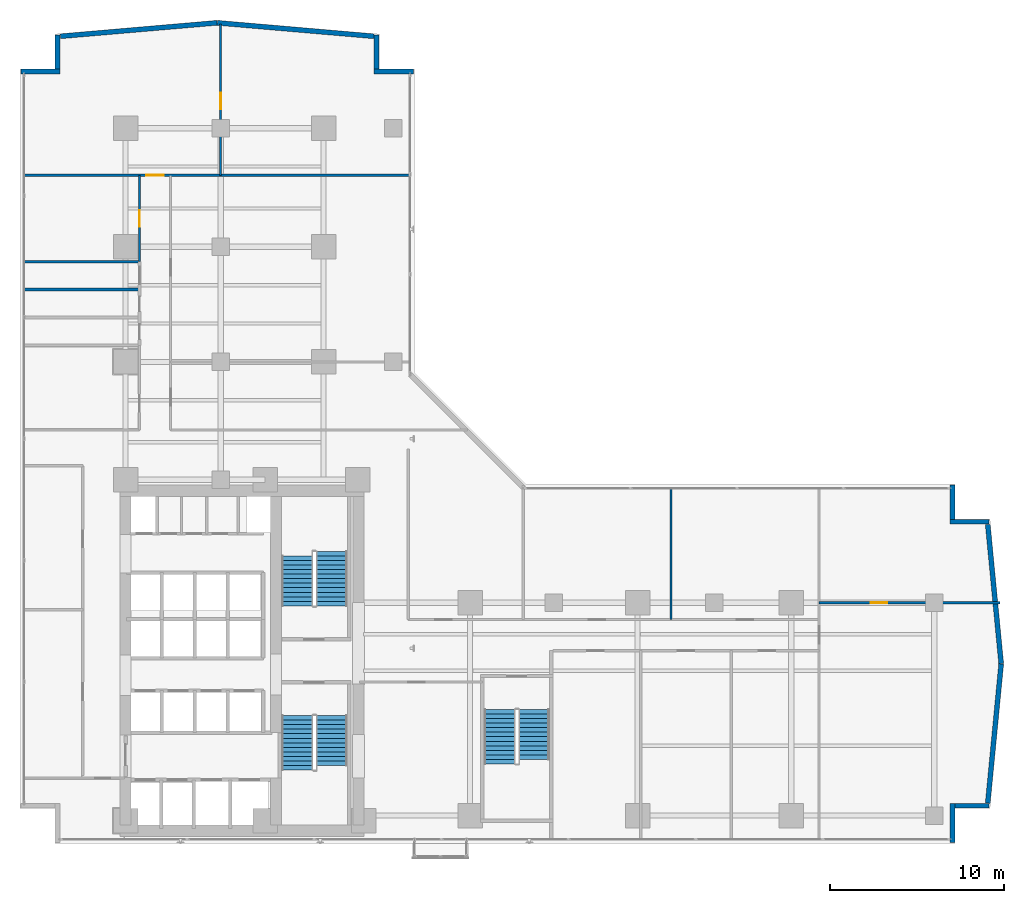
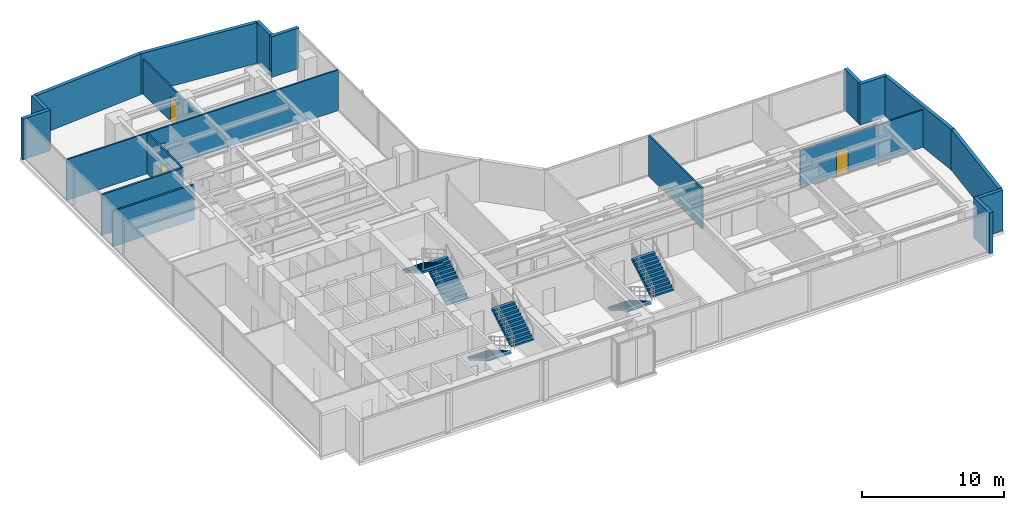
# One storey, part 21 of 25: 19 walls, 6 stair flights, 4 doors, 4 openings, 3 elements without a shape of their own.
"""IFC4 building model written with IfcOpenShell, lengths in metres."""

from ifc_helpers import new_model, si_unit, direction, frame, frame_2d, origin, place, context, subcontext, project, spatial, polyline, rectangle, outline, extrude, material, layer, layer_set, type_object, element, fill, aggregate, save


model = new_model("IFC4")

# Units and contexts
model_context = context("Model", 3, precision=1e-05, world=origin(), true_north=direction((0.0, 1.0)))
body_context = subcontext(model_context, "Body", "Model", "MODEL_VIEW")
ifc_project = project(units=[si_unit("LENGTHUNIT", "METRE"), si_unit("AREAUNIT", "SQUARE_METRE"), si_unit("VOLUMEUNIT", "CUBIC_METRE"), si_unit("PLANEANGLEUNIT", "RADIAN"), si_unit("MASSUNIT", "GRAM", prefix="KILO")], contexts=[model_context])

# Site, building, storey
site_placement = place(None, origin())
site = spatial("IfcSite", under=ifc_project, at=site_placement, CompositionType="ELEMENT")
building_placement = place(site_placement, origin())
building = spatial("IfcBuilding", under=site, at=building_placement, Name="Kolvaren Waterfront Exchange", CompositionType="ELEMENT")
storey_placement = place(building_placement, frame((0.0, 0.0, 106.89990234375)))
storey = spatial("IfcBuildingStorey", under=building, at=storey_placement, Name="L27", CompositionType="ELEMENT", Elevation=106.89990234375)

# Walls
ifc_material_1 = material(Name="Precast concrete C40/50", Category="concrete")
ifc_layer_1 = layer(ifc_material_1, 0.280029296875, Name="Precast concrete C40/50")
ifc_layer_set_1 = layer_set([ifc_layer_1], Name="Precast concrete C40/50")
wall_type_1 = type_object("IfcWallType", Name="ARC-EXT-TERR-280", PredefinedType="SOLIDWALL", material=ifc_layer_set_1)
wall_1_placement = place(storey_placement, frame((54.840087890625, 3.659912109375, 0.0), z_axis=(0.0, 0.0, 1.0), x_axis=(0.0, 1.0, 0.0)))
element("IfcWall", 1, at=wall_1_placement, inside=storey, type_object=wall_type_1, Name="L27 notched corner spandrel pier SE-A", PredefinedType="SOLIDWALL", context=body_context, shape_type="SweptSolid", body=[
    extrude(rectangle(XDim=2.239990234375, YDim=0.280029296875, at=frame_2d((1.1201171875, 0.0))), origin(), (0.0, 0.0, 1.0), 3.5),
])
wall_2_placement = place(storey_placement, frame((54.97998046875, 5.760009765625, 0.0), z_axis=(0.0, 0.0, 1.0), x_axis=(1.0, 0.0, 0.0)))
element("IfcWall", 2, at=wall_2_placement, inside=storey, type_object=wall_type_1, Name="L27 notched corner spandrel pier SE-B", PredefinedType="SOLIDWALL", context=body_context, shape_type="SweptSolid", body=[
    extrude(rectangle(XDim=1.9599609375, YDim=0.280029296875, at=frame_2d((0.97998046875, 0.0))), origin(), (0.0, 0.0, 1.0), 3.5),
])
wall_3_placement = place(storey_placement, frame((54.840087890625, 22.1650390625, 0.0), z_axis=(0.0, 0.0, 1.0), x_axis=(0.0, 1.0, 0.0)))
element("IfcWall", 3, at=wall_3_placement, inside=storey, type_object=wall_type_1, Name="L27 notched corner spandrel pier ENE-A", PredefinedType="SOLIDWALL", context=body_context, shape_type="SweptSolid", body=[
    extrude(rectangle(XDim=1.974853515625, YDim=0.280029296875, at=frame_2d((0.9873046875, 0.0))), origin(), (0.0, 0.0, 1.0), 3.5),
])
for number, where, z_axis, x_axis, name in (
    (4, (54.699951171875, 22.0400390625, 0.0), (0.0, 0.0, 1.0), (1.0, 0.0, 0.0), "L27 notched corner spandrel pier ENE-B"),
    (5, (21.699951171875, 47.840087890625, 0.0), (0.0, 0.0, 1.0), (1.0, 0.0, 0.0), "L27 notched corner spandrel pier NNE-A"),
):
    element("IfcWall", number, at=place(storey_placement, frame(where, z_axis=z_axis, x_axis=x_axis)), inside=storey, type_object=wall_type_1, Name=name, PredefinedType="SOLIDWALL", context=body_context, shape_type="SweptSolid", body=[
        extrude(rectangle(XDim=2.239990234375, YDim=0.280029296875, at=frame_2d((1.1201171875, 0.0))), origin(), (0.0, 0.0, 1.0), 3.5),
    ])
wall_4_placement = place(storey_placement, frame((21.840087890625, 47.97998046875, 0.0), z_axis=(0.0, 0.0, 1.0), x_axis=(0.0, 1.0, 0.0)))
element("IfcWall", 6, at=wall_4_placement, inside=storey, type_object=wall_type_1, Name="L27 notched corner spandrel pier NNE-B", PredefinedType="SOLIDWALL", context=body_context, shape_type="SweptSolid", body=[
    extrude(rectangle(XDim=1.9599609375, YDim=0.280029296875, at=frame_2d((0.97998046875, 0.0))), origin(), (0.0, 0.0, 1.0), 3.5),
])
wall_5_placement = place(storey_placement, frame((1.4599609375, 47.840087890625, 0.0), z_axis=(0.0, 0.0, 1.0), x_axis=(1.0, 0.0, 0.0)))
element("IfcWall", 7, at=wall_5_placement, inside=storey, type_object=wall_type_1, Name="L27 notched corner spandrel pier NW-A", PredefinedType="SOLIDWALL", context=body_context, shape_type="SweptSolid", body=[
    extrude(rectangle(XDim=2.239990234375, YDim=0.280029296875, at=frame_2d((1.1201171875, 0.0))), origin(), (0.0, 0.0, 1.0), 3.5),
])
wall_6_placement = place(storey_placement, frame((3.56005859375, 47.97998046875, 0.0), z_axis=(0.0, 0.0, 1.0), x_axis=(0.0, 1.0, 0.0)))
element("IfcWall", 8, at=wall_6_placement, inside=storey, type_object=wall_type_1, Name="L27 notched corner spandrel pier NW-B", PredefinedType="SOLIDWALL", context=body_context, shape_type="SweptSolid", body=[
    extrude(rectangle(XDim=1.9599609375, YDim=0.280029296875, at=frame_2d((0.97998046875, 0.0))), origin(), (0.0, 0.0, 1.0), 3.5),
])
for number, where, z_axis, x_axis, name in (
    (9, (56.869384765625, 5.9140625, 0.0), (0.0, 0.0, 1.0), (0.095969995245, 0.995384227328, 0.0), "L27 east prow faceted facade wall 1"),
    (10, (57.638916015625, 13.904541015625, 0.0), (0.0, 0.0, 1.0), (-0.095969995245, 0.995384227328, 0.0), "L27 east prow faceted facade wall 2"),
):
    element("IfcWall", number, at=place(storey_placement, frame(where, z_axis=z_axis, x_axis=x_axis)), inside=storey, type_object=wall_type_1, Name=name, PredefinedType="SOLIDWALL", context=body_context, shape_type="SweptSolid", body=[
        extrude(rectangle(XDim=8.0185546875, YDim=0.280029296875, at=frame_2d((4.00927734375, 0.0))), origin(), (0.0, 0.0, 1.0), 3.5),
    ])
for number, where, z_axis, x_axis, name in (
    (11, (21.6875, 49.8662109375, 0.0), (0.0, 0.0, 1.0), (-0.996319339243, 0.085719159179, 0.0), "L27 north prow faceted facade wall 1"),
    (12, (12.69384765625, 50.638916015625, 0.0), (0.0, 0.0, 1.0), (-0.996319339243, -0.085719159179, 0.0), "L27 north prow faceted facade wall 2"),
):
    element("IfcWall", number, at=place(storey_placement, frame(where, z_axis=z_axis, x_axis=x_axis)), inside=storey, type_object=wall_type_1, Name=name, PredefinedType="SOLIDWALL", context=body_context, shape_type="SweptSolid", body=[
        extrude(rectangle(XDim=9.014404296875, YDim=0.280029296875, at=frame_2d((4.50732421875, 0.0))), origin(), (0.0, 0.0, 1.0), 3.5),
    ])

# Wall, opening, door
ifc_material_2 = material(Name="Acoustic gypsum steel stud", Category="steel")
ifc_layer_2 = layer(ifc_material_2, 0.125, Name="Acoustic gypsum steel stud")
ifc_layer_set_2 = layer_set([ifc_layer_2], Name="Acoustic gypsum steel stud")
wall_type_2 = type_object("IfcWallType", Name="ARC-PART-125", PredefinedType="PARTITIONING", material=ifc_layer_set_2)
wall_7_placement = place(storey_placement, frame((47.199951171875, 17.39990234375, 0.0), z_axis=(0.0, 0.0, 1.0), x_axis=(1.0, 0.0, 0.0)))
wall_7 = element("IfcWall", 13, at=wall_7_placement, inside=storey, type_object=wall_type_2, Name="L27 interior wall PW-L27-ETIP-MID", PredefinedType="PARTITIONING", context=body_context, shape_type="SweptSolid", body=[
    extrude(rectangle(XDim=10.360107421875, YDim=0.125, at=frame_2d((5.18017578125, 0.0))), origin(), (0.0, 0.0, 1.0), 3.2001953125),
])
opening_1_placement = place(wall_7_placement, frame((2.949951171875, 0.0, 0.0)))
opening_1 = element("IfcOpeningElement", 14, at=opening_1_placement, cuts=wall_7, Name="Opening D02", PredefinedType="OPENING", context=body_context, shape_type="SweptSolid", body=[
    extrude(rectangle(XDim=0.949951171875, YDim=2.14990234375, at=frame_2d((0.47509765625, 1.074951171875))), frame((0.0, 0.072509765625, 0.0), z_axis=(0.0, -1.0, 0.0), x_axis=(1.0, 0.0, 0.0)), (0.0, 0.0, 1.0), 0.14501953125),
])
ifc_material_3 = material(Name="Oak veneer acoustic timber", Category="wood")
door_type_1 = type_object("IfcDoorType", Name="ARC-DR-950", OperationType="NOTDEFINED", PredefinedType="DOOR", material=ifc_material_3)
door_1_placement = place(opening_1_placement, origin())
door_1 = element("IfcDoor", 15, at=door_1_placement, inside=storey, type_object=door_type_1, Name="L27 door DR-L27-ETIP2-D (D02)", OperationType="SINGLE_SWING_LEFT", OverallHeight=2.14990234375, OverallWidth=0.949951171875, PredefinedType="DOOR", context=body_context, shape_type="SweptSolid", body=[
    extrude(rectangle(XDim=0.949951171875, YDim=2.14990234375, at=frame_2d((0.47509765625, 1.074951171875))), frame((0.0, 0.02490234375, 0.0), z_axis=(0.0, -1.0, 0.0), x_axis=(1.0, 0.0, 0.0)), (0.0, 0.0, 1.0), 0.050048828125),
])
fill(opening_1, door_1)

# Wall
wall_8_placement = place(storey_placement, frame((38.719970703125, 16.429931640625, 0.0), z_axis=(0.0, 0.0, 1.0), x_axis=(0.0, 1.0, 0.0)))
element("IfcWall", 16, at=wall_8_placement, inside=storey, type_object=wall_type_2, Name="L27 interior wall PW-L27-EN-DIV-2", PredefinedType="PARTITIONING", context=body_context, shape_type="SweptSolid", body=[
    extrude(rectangle(XDim=7.530029296875, YDim=0.125, at=frame_2d((3.76513671875, 0.0))), origin(), (0.0, 0.0, 1.0), 3.5),
])

# Wall, opening, door
wall_9_placement = place(storey_placement, frame((8.25, 36.949951171875, 0.0), z_axis=(0.0, 0.0, 1.0), x_axis=(0.0, 1.0, 0.0)))
wall_9 = element("IfcWall", 17, at=wall_9_placement, inside=storey, type_object=wall_type_2, Name="L27 interior wall PW-L27-NW-CORR", PredefinedType="PARTITIONING", context=body_context, shape_type="SweptSolid", body=[
    extrude(rectangle(XDim=4.949951171875, YDim=0.125, at=frame_2d((2.47509765625, 0.0))), origin(), (0.0, 0.0, 1.0), 3.5),
])
opening_2_placement = place(wall_9_placement, frame((2.0, 0.0, 0.0)))
opening_2 = element("IfcOpeningElement", 18, at=opening_2_placement, cuts=wall_9, Name="Opening D02", PredefinedType="OPENING", context=body_context, shape_type="SweptSolid", body=[
    extrude(rectangle(XDim=0.949951171875, YDim=2.14990234375, at=frame_2d((0.47509765625, 1.074951171875))), frame((0.0, 0.072509765625, 0.0), z_axis=(0.0, -1.0, 0.0), x_axis=(1.0, 0.0, 0.0)), (0.0, 0.0, 1.0), 0.14501953125),
])
door_2_placement = place(opening_2_placement, origin())
door_2 = element("IfcDoor", 19, at=door_2_placement, inside=storey, type_object=door_type_1, Name="L27 door DR-L27-NW-D-1 (D02)", OperationType="SINGLE_SWING_LEFT", OverallHeight=2.14990234375, OverallWidth=0.949951171875, PredefinedType="DOOR", context=body_context, shape_type="SweptSolid", body=[
    extrude(rectangle(XDim=0.949951171875, YDim=2.14990234375, at=frame_2d((0.47509765625, 1.074951171875))), frame((0.0, 0.02490234375, 0.0), z_axis=(0.0, -1.0, 0.0), x_axis=(1.0, 0.0, 0.0)), (0.0, 0.0, 1.0), 0.050048828125),
])
fill(opening_2, door_2)

wall_10_placement = place(storey_placement, frame((1.639892578125, 41.89990234375, 0.0), z_axis=(0.0, 0.0, 1.0), x_axis=(1.0, 0.0, 0.0)))
wall_10 = element("IfcWall", 20, at=wall_10_placement, inside=storey, type_object=wall_type_2, Name="L27 interior wall PW-L27-NTIP-S", PredefinedType="PARTITIONING", context=body_context, shape_type="SweptSolid", body=[
    extrude(rectangle(XDim=22.1201171875, YDim=0.125, at=frame_2d((11.06005859375, 0.0))), origin(), (0.0, 0.0, 1.0), 3.5),
])
opening_3_placement = place(wall_10_placement, frame((7.0, 0.0, 0.0)))
opening_3 = element("IfcOpeningElement", 21, at=opening_3_placement, cuts=wall_10, Name="Opening D03", PredefinedType="OPENING", context=body_context, shape_type="SweptSolid", body=[
    extrude(rectangle(XDim=1.0, YDim=2.199951171875, at=frame_2d((0.5, 1.10009765625))), frame((0.0, 0.072509765625, 0.0), z_axis=(0.0, -1.0, 0.0), x_axis=(1.0, 0.0, 0.0)), (0.0, 0.0, 1.0), 0.14501953125),
])
ifc_material_4 = material(Name="Oak veneer accessible timber", Category="wood")
door_type_2 = type_object("IfcDoorType", Name="ARC-DR-1000", OperationType="NOTDEFINED", PredefinedType="DOOR", material=ifc_material_4)
door_3_placement = place(opening_3_placement, origin())
door_3 = element("IfcDoor", 22, at=door_3_placement, inside=storey, type_object=door_type_2, Name="L27 door DR-L27-NTIPW-D (D03)", OperationType="SINGLE_SWING_RIGHT", OverallHeight=2.199951171875, OverallWidth=1.0, PredefinedType="DOOR", context=body_context, shape_type="SweptSolid", body=[
    extrude(rectangle(XDim=1.0, YDim=2.199951171875, at=frame_2d((0.5, 1.10009765625))), frame((0.0, 0.02490234375, 0.0), z_axis=(0.0, -1.0, 0.0), x_axis=(1.0, 0.0, 0.0)), (0.0, 0.0, 1.0), 0.050048828125),
])
fill(opening_3, door_3)

wall_11_placement = place(storey_placement, frame((12.89990234375, 41.89990234375, 0.0), z_axis=(0.0, 0.0, 1.0), x_axis=(0.0, 1.0, 0.0)))
wall_11 = element("IfcWall", 23, at=wall_11_placement, inside=storey, type_object=wall_type_2, Name="L27 interior wall PW-L27-NTIP-DIV", PredefinedType="PARTITIONING", context=body_context, shape_type="SweptSolid", body=[
    extrude(rectangle(XDim=8.66015625, YDim=0.125, at=frame_2d((4.330078125, 0.0))), origin(), (0.0, 0.0, 1.0), 3.0),
])
opening_4_placement = place(wall_11_placement, frame((3.77880859375, 0.0, 0.0)))
opening_4 = element("IfcOpeningElement", 24, at=opening_4_placement, cuts=wall_11, Name="Opening D02", PredefinedType="OPENING", context=body_context, shape_type="SweptSolid", body=[
    extrude(rectangle(XDim=0.949951171875, YDim=2.14990234375, at=frame_2d((0.47509765625, 1.074951171875))), frame((0.0, 0.072509765625, 0.0), z_axis=(0.0, -1.0, 0.0), x_axis=(1.0, 0.0, 0.0)), (0.0, 0.0, 1.0), 0.14501953125),
])
door_4_placement = place(opening_4_placement, origin())
door_4 = element("IfcDoor", 25, at=door_4_placement, inside=storey, type_object=door_type_1, Name="L27 door DR-L27-NTIPE-D (D02)", OperationType="SINGLE_SWING_LEFT", OverallHeight=2.14990234375, OverallWidth=0.949951171875, PredefinedType="DOOR", context=body_context, shape_type="SweptSolid", body=[
    extrude(rectangle(XDim=0.949951171875, YDim=2.14990234375, at=frame_2d((0.47509765625, 1.074951171875))), frame((0.0, 0.02490234375, 0.0), z_axis=(0.0, -1.0, 0.0), x_axis=(1.0, 0.0, 0.0)), (0.0, 0.0, 1.0), 0.050048828125),
])
fill(opening_4, door_4)

# Walls
ifc_material_5 = material(Name="Moisture-resistant gypsum stud")
ifc_layer_3 = layer(ifc_material_5, 0.14990234375, Name="Moisture-resistant gypsum stud")
ifc_layer_set_3 = layer_set([ifc_layer_3], Name="Moisture-resistant gypsum stud")
wall_type_3 = type_object("IfcWallType", Name="ARC-PLUMB-150", PredefinedType="PLUMBINGWALL", material=ifc_layer_set_3)
wall_12_placement = place(storey_placement, frame((1.639892578125, 35.35009765625, 0.0), z_axis=(0.0, 0.0, 1.0), x_axis=(1.0, 0.0, 0.0)))
element("IfcWall", 26, at=wall_12_placement, inside=storey, type_object=wall_type_3, Name="L27 interior wall PW-L27-WC-2", PredefinedType="PLUMBINGWALL", context=body_context, shape_type="SweptSolid", body=[
    extrude(rectangle(XDim=6.610107421875, YDim=0.14990234375, at=frame_2d((3.30517578125, 0.0))), origin(), (0.0, 0.0, 1.0), 3.050048828125),
])
wall_13_placement = place(storey_placement, frame((1.639892578125, 36.949951171875, 0.0), z_axis=(0.0, 0.0, 1.0), x_axis=(1.0, 0.0, 0.0)))
element("IfcWall", 27, at=wall_13_placement, inside=storey, type_object=wall_type_3, Name="L27 interior wall PW-L27-WC-3", PredefinedType="PLUMBINGWALL", context=body_context, shape_type="SweptSolid", body=[
    extrude(rectangle(XDim=6.610107421875, YDim=0.14990234375, at=frame_2d((3.30517578125, 0.0))), origin(), (0.0, 0.0, 1.0), 3.5),
])

# Stair, stair flights
ifc_material_6 = material(Name="Concrete C40/50", Category="concrete")
stair_type = type_object("IfcStairType", Name="ARC-STAIR-3800", PredefinedType="HALF_TURN_STAIR", material=ifc_material_6)
stair_1_placement = place(storey_placement, origin())
stair_1 = element("IfcStair", 28, at=stair_1_placement, inside=storey, type_object=stair_type, Name="L27 Smoke-proof exit stair ST1", PredefinedType="HALF_TURN_STAIR")
stair_flight_type = type_object("IfcStairFlightType", Name="ARC-FLIGHT-3800", PredefinedType="STRAIGHT", material=ifc_material_6)
stair_flight_1_placement = place(storey_placement, frame((17.300048828125, 10.929931640625, 0.0), z_axis=(0.0, 0.0, 1.0), x_axis=(0.0, -1.0, 0.0)))
stair_flight_1 = element("IfcStairFlight", 29, at=stair_flight_1_placement, type_object=stair_flight_type, Name="ST1 flight 1", NumberOfRisers=13, NumberOfTreads=12, PredefinedType="STRAIGHT", RiserHeight=0.152, TreadLength=0.26, context=body_context, shape_type="SweptSolid", body=[
    extrude(outline(polyline([(0.0, 0.0), (0.0, 0.152099609375), (0.260009765625, 0.152099609375), (0.260009765625, 0.303955078125), (0.52001953125, 0.303955078125), (0.52001953125, 0.4560546875), (0.780029296875, 0.4560546875), (0.780029296875, 0.60791015625), (1.0400390625, 0.60791015625), (1.0400390625, 0.760009765625), (1.300048828125, 0.760009765625), (1.300048828125, 0.912109375), (1.56005859375, 0.912109375), (1.56005859375, 1.06396484375), (1.820068359375, 1.06396484375), (1.820068359375, 1.216064453125), (2.080078125, 1.216064453125), (2.080078125, 1.367919921875), (2.340087890625, 1.367919921875), (2.340087890625, 1.52001953125), (2.60009765625, 1.52001953125), (2.60009765625, 1.672119140625), (2.860107421875, 1.672119140625), (2.860107421875, 1.823974609375), (3.1201171875, 1.823974609375), (3.1201171875, 1.97607421875), (3.1201171875, 1.650390625), (0.297119140625, 0.0), (0.0, 0.0)])), frame((0.0, 0.89990234375, 0.0), z_axis=(0.0, -1.0, 0.0), x_axis=(1.0, 0.0, 0.0)), (0.0, 0.0, 1.0), 1.800048828125),
])
stair_flight_2_placement = place(storey_placement, frame((19.260009765625, 8.070068359375, 1.97607421875), z_axis=(0.0, 0.0, 1.0), x_axis=(0.0, 1.0, 0.0)))
stair_flight_2 = element("IfcStairFlight", 30, at=stair_flight_2_placement, type_object=stair_flight_type, Name="ST1 flight 2", NumberOfRisers=12, NumberOfTreads=11, PredefinedType="STRAIGHT", RiserHeight=0.152, TreadLength=0.26, context=body_context, shape_type="SweptSolid", body=[
    extrude(outline(polyline([(0.0, 0.0), (0.0, 0.152099609375), (0.260009765625, 0.152099609375), (0.260009765625, 0.303955078125), (0.52001953125, 0.303955078125), (0.52001953125, 0.4560546875), (0.780029296875, 0.4560546875), (0.780029296875, 0.60791015625), (1.0400390625, 0.60791015625), (1.0400390625, 0.760009765625), (1.300048828125, 0.760009765625), (1.300048828125, 0.912109375), (1.56005859375, 0.912109375), (1.56005859375, 1.06396484375), (1.820068359375, 1.06396484375), (1.820068359375, 1.216064453125), (2.080078125, 1.216064453125), (2.080078125, 1.367919921875), (2.340087890625, 1.367919921875), (2.340087890625, 1.52001953125), (2.60009765625, 1.52001953125), (2.60009765625, 1.672119140625), (2.860107421875, 1.672119140625), (2.860107421875, 1.823974609375), (2.860107421875, 1.498291015625), (0.297119140625, 0.0), (0.0, 0.0)])), frame((0.0, 0.89990234375, 0.0), z_axis=(0.0, -1.0, 0.0), x_axis=(1.0, 0.0, 0.0)), (0.0, 0.0, 1.0), 1.800048828125),
])
aggregate(stair_1, [stair_flight_1, stair_flight_2])

stair_2_placement = place(storey_placement, origin())
stair_2 = element("IfcStair", 31, at=stair_2_placement, inside=storey, type_object=stair_type, Name="L27 Smoke-proof exit stair ST2", PredefinedType="HALF_TURN_STAIR")
stair_flight_3_placement = place(storey_placement, frame((19.260009765625, 17.219970703125, 0.0), z_axis=(0.0, 0.0, 1.0), x_axis=(0.0, 1.0, 0.0)))
stair_flight_3 = element("IfcStairFlight", 32, at=stair_flight_3_placement, type_object=stair_flight_type, Name="ST2 flight 1", NumberOfRisers=13, NumberOfTreads=12, PredefinedType="STRAIGHT", RiserHeight=0.152, TreadLength=0.26, context=body_context, shape_type="SweptSolid", body=[
    extrude(outline(polyline([(0.0, 0.0), (0.0, 0.152099609375), (0.260009765625, 0.152099609375), (0.260009765625, 0.303955078125), (0.52001953125, 0.303955078125), (0.52001953125, 0.4560546875), (0.780029296875, 0.4560546875), (0.780029296875, 0.60791015625), (1.0400390625, 0.60791015625), (1.0400390625, 0.760009765625), (1.300048828125, 0.760009765625), (1.300048828125, 0.912109375), (1.56005859375, 0.912109375), (1.56005859375, 1.06396484375), (1.820068359375, 1.06396484375), (1.820068359375, 1.216064453125), (2.080078125, 1.216064453125), (2.080078125, 1.367919921875), (2.340087890625, 1.367919921875), (2.340087890625, 1.52001953125), (2.60009765625, 1.52001953125), (2.60009765625, 1.672119140625), (2.860107421875, 1.672119140625), (2.860107421875, 1.823974609375), (3.1201171875, 1.823974609375), (3.1201171875, 1.97607421875), (3.1201171875, 1.650390625), (0.297119140625, 0.0), (0.0, 0.0)])), frame((0.0, 0.89990234375, 0.0), z_axis=(0.0, -1.0, 0.0), x_axis=(1.0, 0.0, 0.0)), (0.0, 0.0, 1.0), 1.800048828125),
])
stair_flight_4_placement = place(storey_placement, frame((17.300048828125, 20.080078125, 1.97607421875), z_axis=(0.0, 0.0, 1.0), x_axis=(0.0, -1.0, 0.0)))
stair_flight_4 = element("IfcStairFlight", 33, at=stair_flight_4_placement, type_object=stair_flight_type, Name="ST2 flight 2", NumberOfRisers=12, NumberOfTreads=11, PredefinedType="STRAIGHT", RiserHeight=0.152, TreadLength=0.26, context=body_context, shape_type="SweptSolid", body=[
    extrude(outline(polyline([(0.0, 0.0), (0.0, 0.152099609375), (0.260009765625, 0.152099609375), (0.260009765625, 0.303955078125), (0.52001953125, 0.303955078125), (0.52001953125, 0.4560546875), (0.780029296875, 0.4560546875), (0.780029296875, 0.60791015625), (1.0400390625, 0.60791015625), (1.0400390625, 0.760009765625), (1.300048828125, 0.760009765625), (1.300048828125, 0.912109375), (1.56005859375, 0.912109375), (1.56005859375, 1.06396484375), (1.820068359375, 1.06396484375), (1.820068359375, 1.216064453125), (2.080078125, 1.216064453125), (2.080078125, 1.367919921875), (2.340087890625, 1.367919921875), (2.340087890625, 1.52001953125), (2.60009765625, 1.52001953125), (2.60009765625, 1.672119140625), (2.860107421875, 1.672119140625), (2.860107421875, 1.823974609375), (2.860107421875, 1.498291015625), (0.297119140625, 0.0), (0.0, 0.0)])), frame((0.0, 0.89990234375, 0.0), z_axis=(0.0, -1.0, 0.0), x_axis=(1.0, 0.0, 0.0)), (0.0, 0.0, 1.0), 1.800048828125),
])
aggregate(stair_2, [stair_flight_3, stair_flight_4])

stair_3_placement = place(storey_placement, origin())
stair_3 = element("IfcStair", 34, at=stair_3_placement, inside=storey, type_object=stair_type, Name="L27 Exit stair ST3", PredefinedType="HALF_TURN_STAIR")
stair_flight_5_placement = place(storey_placement, frame((28.89990234375, 11.280029296875, 0.0), z_axis=(0.0, 0.0, 1.0), x_axis=(0.0, -1.0, 0.0)))
stair_flight_5 = element("IfcStairFlight", 35, at=stair_flight_5_placement, type_object=stair_flight_type, Name="ST3 flight 1", NumberOfRisers=13, NumberOfTreads=12, PredefinedType="STRAIGHT", RiserHeight=0.152, TreadLength=0.26, context=body_context, shape_type="SweptSolid", body=[
    extrude(outline(polyline([(0.0, 0.0), (0.0, 0.152099609375), (0.260009765625, 0.152099609375), (0.260009765625, 0.303955078125), (0.52001953125, 0.303955078125), (0.52001953125, 0.4560546875), (0.780029296875, 0.4560546875), (0.780029296875, 0.60791015625), (1.0400390625, 0.60791015625), (1.0400390625, 0.760009765625), (1.300048828125, 0.760009765625), (1.300048828125, 0.912109375), (1.56005859375, 0.912109375), (1.56005859375, 1.06396484375), (1.820068359375, 1.06396484375), (1.820068359375, 1.216064453125), (2.080078125, 1.216064453125), (2.080078125, 1.367919921875), (2.340087890625, 1.367919921875), (2.340087890625, 1.52001953125), (2.60009765625, 1.52001953125), (2.60009765625, 1.672119140625), (2.860107421875, 1.672119140625), (2.860107421875, 1.823974609375), (3.1201171875, 1.823974609375), (3.1201171875, 1.97607421875), (3.1201171875, 1.650390625), (0.297119140625, 0.0), (0.0, 0.0)])), frame((0.0, 0.89990234375, 0.0), z_axis=(0.0, -1.0, 0.0), x_axis=(1.0, 0.0, 0.0)), (0.0, 0.0, 1.0), 1.800048828125),
])
stair_flight_6_placement = place(storey_placement, frame((30.860107421875, 8.419921875, 1.97607421875), z_axis=(0.0, 0.0, 1.0), x_axis=(0.0, 1.0, 0.0)))
stair_flight_6 = element("IfcStairFlight", 36, at=stair_flight_6_placement, type_object=stair_flight_type, Name="ST3 flight 2", NumberOfRisers=12, NumberOfTreads=11, PredefinedType="STRAIGHT", RiserHeight=0.152, TreadLength=0.26, context=body_context, shape_type="SweptSolid", body=[
    extrude(outline(polyline([(0.0, 0.0), (0.0, 0.152099609375), (0.260009765625, 0.152099609375), (0.260009765625, 0.303955078125), (0.52001953125, 0.303955078125), (0.52001953125, 0.4560546875), (0.780029296875, 0.4560546875), (0.780029296875, 0.60791015625), (1.0400390625, 0.60791015625), (1.0400390625, 0.760009765625), (1.300048828125, 0.760009765625), (1.300048828125, 0.912109375), (1.56005859375, 0.912109375), (1.56005859375, 1.06396484375), (1.820068359375, 1.06396484375), (1.820068359375, 1.216064453125), (2.080078125, 1.216064453125), (2.080078125, 1.367919921875), (2.340087890625, 1.367919921875), (2.340087890625, 1.52001953125), (2.60009765625, 1.52001953125), (2.60009765625, 1.672119140625), (2.860107421875, 1.672119140625), (2.860107421875, 1.823974609375), (2.860107421875, 1.498291015625), (0.297119140625, 0.0), (0.0, 0.0)])), frame((0.0, 0.89990234375, 0.0), z_axis=(0.0, -1.0, 0.0), x_axis=(1.0, 0.0, 0.0)), (0.0, 0.0, 1.0), 1.800048828125),
])
aggregate(stair_3, [stair_flight_5, stair_flight_6])

save(model, "model.ifc")
